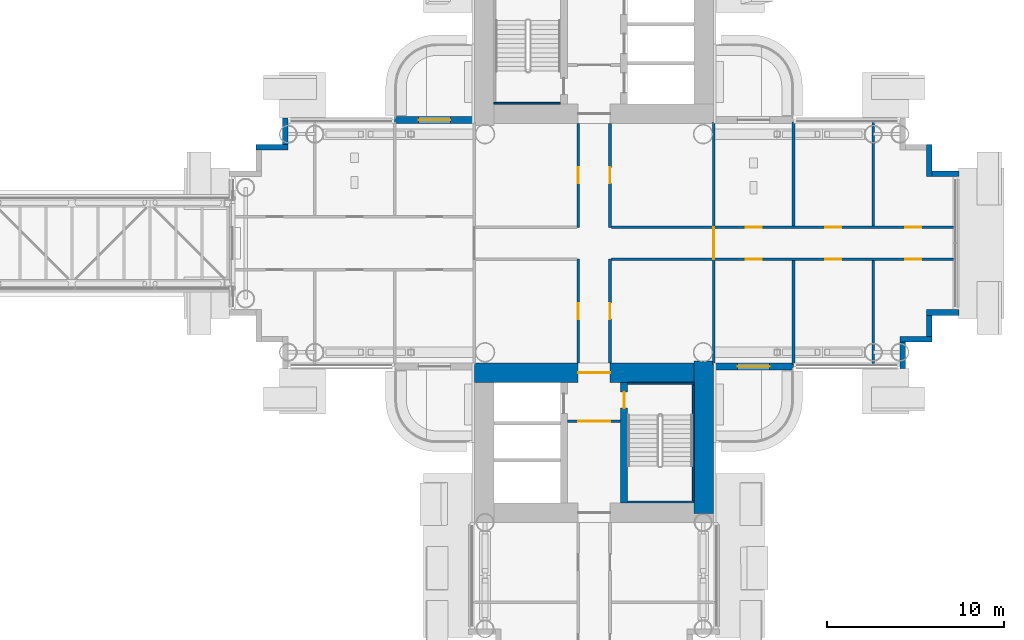
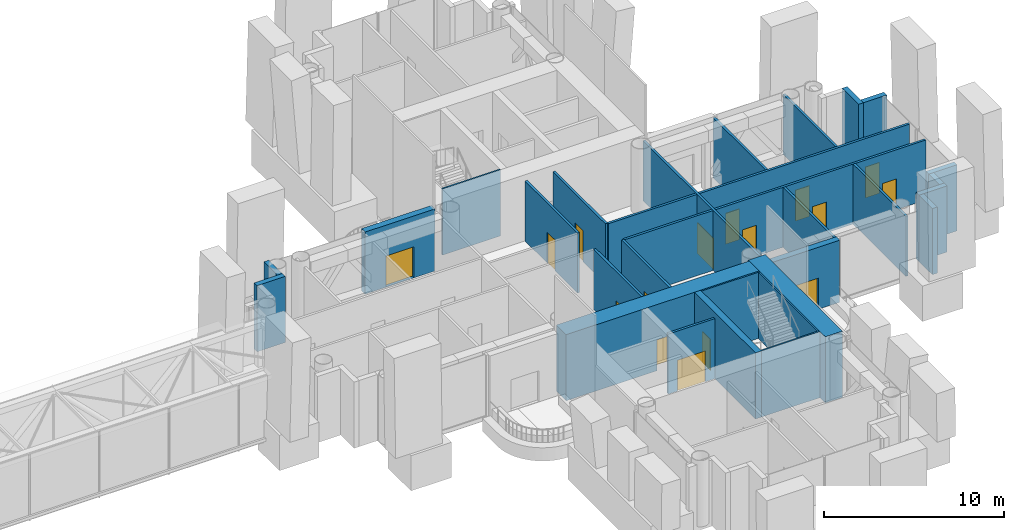
# One storey, part 17 of 27: 31 walls, 16 doors, 16 openings.
"""IFC4 building model written with IfcOpenShell, lengths in metres."""

from ifc_helpers import new_model, si_unit, direction, frame, frame_2d, origin, place, context, subcontext, project, spatial, rectangle, extrude, material, layer, layer_set, type_object, element, fill, save


model = new_model("IFC4")

# Units and contexts
model_context = context("Model", 3, precision=1e-05, world=origin(), true_north=direction((0.0, 1.0)))
body_context = subcontext(model_context, "Body", "Model", "MODEL_VIEW")
ifc_project = project(units=[si_unit("LENGTHUNIT", "METRE"), si_unit("AREAUNIT", "SQUARE_METRE"), si_unit("VOLUMEUNIT", "CUBIC_METRE"), si_unit("PLANEANGLEUNIT", "RADIAN"), si_unit("MASSUNIT", "GRAM", prefix="KILO")], contexts=[model_context])

# Site, building, storey
site_placement = place(None, origin())
site = spatial("IfcSite", under=ifc_project, at=site_placement, CompositionType="ELEMENT")
building_placement = place(site_placement, origin())
building = spatial("IfcBuilding", under=site, at=building_placement, Name="Ipe Terrace Towers", CompositionType="ELEMENT")
storey_placement = place(building_placement, frame((0.0, 0.0, 72.10009765625)))
storey = spatial("IfcBuildingStorey", under=building, at=storey_placement, Name="L19", CompositionType="ELEMENT", Elevation=72.10009765625)

# Wall, opening, door
ifc_material_1 = material(Name="Concrete C40/50 with buff precast cladding", Category="concrete")
ifc_layer_1 = layer(ifc_material_1, 0.39990234375)
ifc_layer_set_1 = layer_set([ifc_layer_1], Name="BALCONY BAY WALL 400")
wall_type_1 = type_object("IfcWallType", Name="BALCONY BAY WALL 400", PredefinedType="STANDARD", material=ifc_layer_set_1)
wall_1_placement = place(storey_placement, frame((42.75, -6.949951171875, -0.02001953125), z_axis=(0.0, 0.0, 1.0), x_axis=(1.0, 0.0, 0.0)))
wall_1 = element("IfcWall", 1, at=wall_1_placement, inside=storey, type_object=wall_type_1, Name="T2-W-L19-06a wall", PredefinedType="STANDARD", context=body_context, shape_type="SweptSolid", body=[
    extrude(rectangle(XDim=4.5, YDim=0.39990234375, at=frame_2d((2.25, 0.0))), origin(), (0.0, 0.0, 1.0), 4.219970703125),
])
opening_1_placement = place(wall_1_placement, frame((1.35009765625, 0.0, 0.02001953125)))
opening_1 = element("IfcOpeningElement", 2, at=opening_1_placement, cuts=wall_1, Name="Opening T2-D-L19-06", PredefinedType="OPENING", context=body_context, shape_type="SweptSolid", body=[
    extrude(rectangle(XDim=1.800048828125, YDim=2.10009765625, at=frame_2d((0.89990234375, 1.050048828125))), frame((0.0, 0.2099609375, 0.0), z_axis=(0.0, -1.0, 0.0), x_axis=(1.0, 0.0, 0.0)), (0.0, 0.0, 1.0), 0.419921875),
])
ifc_material_2 = material(Name="Aluminium alloy 6063-T6 framed glazed door", Category="aluminium")
door_type_1 = type_object("IfcDoorType", Name="BALCONY DOOR 1800 x 2100 RIGHT", OperationType="SINGLE_SWING_RIGHT", PredefinedType="DOOR", material=ifc_material_2)
door_1_placement = place(opening_1_placement, origin())
door_1 = element("IfcDoor", 3, at=door_1_placement, inside=storey, type_object=door_type_1, Name="DB2 door", OperationType="SINGLE_SWING_RIGHT", OverallHeight=2.10009765625, OverallWidth=1.800048828125, PredefinedType="DOOR", context=body_context, shape_type="SweptSolid", body=[
    extrude(rectangle(XDim=1.800048828125, YDim=2.10009765625, at=frame_2d((0.89990234375, 1.050048828125))), frame((0.0, 0.02490234375, 0.0), z_axis=(0.0, -1.0, 0.0), x_axis=(1.0, 0.0, 0.0)), (0.0, 0.0, 1.0), 0.050048828125),
])
fill(opening_1, door_1)

wall_2_placement = place(storey_placement, frame((29.25, 6.949951171875, -0.02001953125), z_axis=(0.0, 0.0, 1.0), x_axis=(-1.0, 0.0, 0.0)))
wall_2 = element("IfcWall", 4, at=wall_2_placement, inside=storey, type_object=wall_type_1, Name="T2-W-L19-32a wall", PredefinedType="STANDARD", context=body_context, shape_type="SweptSolid", body=[
    extrude(rectangle(XDim=4.5, YDim=0.39990234375, at=frame_2d((2.25, 0.0))), origin(), (0.0, 0.0, 1.0), 4.219970703125),
])
opening_2_placement = place(wall_2_placement, frame((1.35009765625, 0.0, 0.02001953125)))
opening_2 = element("IfcOpeningElement", 5, at=opening_2_placement, cuts=wall_2, Name="Opening T2-D-L19-32", PredefinedType="OPENING", context=body_context, shape_type="SweptSolid", body=[
    extrude(rectangle(XDim=1.800048828125, YDim=2.10009765625, at=frame_2d((0.89990234375, 1.050048828125))), frame((0.0, 0.2099609375, 0.0), z_axis=(0.0, -1.0, 0.0), x_axis=(1.0, 0.0, 0.0)), (0.0, 0.0, 1.0), 0.419921875),
])
door_2_placement = place(opening_2_placement, origin())
door_2 = element("IfcDoor", 6, at=door_2_placement, inside=storey, type_object=door_type_1, Name="DB2 door", OperationType="SINGLE_SWING_RIGHT", OverallHeight=2.10009765625, OverallWidth=1.800048828125, PredefinedType="DOOR", context=body_context, shape_type="SweptSolid", body=[
    extrude(rectangle(XDim=1.800048828125, YDim=2.10009765625, at=frame_2d((0.89990234375, 1.050048828125))), frame((0.0, 0.02490234375, 0.0), z_axis=(0.0, -1.0, 0.0), x_axis=(1.0, 0.0, 0.0)), (0.0, 0.0, 1.0), 0.050048828125),
])
fill(opening_2, door_2)

# Walls
ifc_material_3 = material(Name="Concrete C40/50 with buff precast cladding", Category="concrete")
ifc_layer_2 = layer(ifc_material_3, 0.320068359375)
ifc_layer_set_2 = layer_set([ifc_layer_2], Name="BUFF CLADDING WALL 320")
wall_type_2 = type_object("IfcWallType", Name="BUFF CLADDING WALL 320", PredefinedType="STANDARD", material=ifc_layer_set_2)
wall_3_placement = place(storey_placement, frame((53.409912109375, -7.070068359375, -0.300048828125), z_axis=(0.0, 0.0, 1.0), x_axis=(0.0, 1.0, 0.0)))
element("IfcWall", 7, at=wall_3_placement, inside=storey, type_object=wall_type_2, Name="T2-W-L19-08a wall", PredefinedType="STANDARD", context=body_context, shape_type="SweptSolid", body=[
    extrude(rectangle(XDim=1.5, YDim=0.320068359375, at=frame_2d((0.75, 0.0))), origin(), (0.0, 0.0, 1.0), 4.5),
])
wall_4_placement = place(storey_placement, frame((53.25, -5.409912109375, -0.300048828125), z_axis=(0.0, 0.0, 1.0), x_axis=(1.0, 0.0, 0.0)))
element("IfcWall", 8, at=wall_4_placement, inside=storey, type_object=wall_type_2, Name="T2-W-L19-09a wall", PredefinedType="STANDARD", context=body_context, shape_type="SweptSolid", body=[
    extrude(rectangle(XDim=1.820068359375, YDim=0.320068359375, at=frame_2d((0.91015625, 0.0))), origin(), (0.0, 0.0, 1.0), 4.5),
])
wall_5_placement = place(storey_placement, frame((54.909912109375, -5.25, -0.300048828125), z_axis=(0.0, 0.0, 1.0), x_axis=(0.0, 1.0, 0.0)))
element("IfcWall", 9, at=wall_5_placement, inside=storey, type_object=wall_type_2, Name="T2-W-L19-10a wall", PredefinedType="STANDARD", context=body_context, shape_type="SweptSolid", body=[
    extrude(rectangle(XDim=1.179931640625, YDim=0.320068359375, at=frame_2d((0.58984375, 0.0))), origin(), (0.0, 0.0, 1.0), 4.5),
])
wall_6_placement = place(storey_placement, frame((54.75, -3.909912109375, -0.300048828125), z_axis=(0.0, 0.0, 1.0), x_axis=(1.0, 0.0, 0.0)))
element("IfcWall", 10, at=wall_6_placement, inside=storey, type_object=wall_type_2, Name="T2-W-L19-11a wall", PredefinedType="STANDARD", context=body_context, shape_type="SweptSolid", body=[
    extrude(rectangle(XDim=1.820068359375, YDim=0.320068359375, at=frame_2d((0.91015625, 0.0))), origin(), (0.0, 0.0, 1.0), 4.5),
])
wall_7_placement = place(storey_placement, frame((56.570068359375, 3.909912109375, -0.300048828125), z_axis=(0.0, 0.0, 1.0), x_axis=(-1.0, 0.0, 0.0)))
element("IfcWall", 11, at=wall_7_placement, inside=storey, type_object=wall_type_2, Name="T2-W-L19-13a wall", PredefinedType="STANDARD", context=body_context, shape_type="SweptSolid", body=[
    extrude(rectangle(XDim=1.5, YDim=0.320068359375, at=frame_2d((0.75, 0.0))), origin(), (0.0, 0.0, 1.0), 4.5),
])
wall_8_placement = place(storey_placement, frame((54.909912109375, 3.75, -0.300048828125), z_axis=(0.0, 0.0, 1.0), x_axis=(0.0, 1.0, 0.0)))
element("IfcWall", 12, at=wall_8_placement, inside=storey, type_object=wall_type_2, Name="T2-W-L19-14a wall", PredefinedType="STANDARD", context=body_context, shape_type="SweptSolid", body=[
    extrude(rectangle(XDim=1.820068359375, YDim=0.320068359375, at=frame_2d((0.91015625, 0.0))), origin(), (0.0, 0.0, 1.0), 4.5),
])
wall_9_placement = place(storey_placement, frame((18.590087890625, 7.070068359375, -0.300048828125), z_axis=(0.0, 0.0, 1.0), x_axis=(0.0, -1.0, 0.0)))
element("IfcWall", 13, at=wall_9_placement, inside=storey, type_object=wall_type_2, Name="T2-W-L19-34a wall", PredefinedType="STANDARD", context=body_context, shape_type="SweptSolid", body=[
    extrude(rectangle(XDim=1.5, YDim=0.320068359375, at=frame_2d((0.75, 0.0))), origin(), (0.0, 0.0, 1.0), 4.5),
])
wall_10_placement = place(storey_placement, frame((18.75, 5.409912109375, -0.300048828125), z_axis=(0.0, 0.0, 1.0), x_axis=(-1.0, 0.0, 0.0)))
element("IfcWall", 14, at=wall_10_placement, inside=storey, type_object=wall_type_2, Name="T2-W-L19-35a wall", PredefinedType="STANDARD", context=body_context, shape_type="SweptSolid", body=[
    extrude(rectangle(XDim=1.820068359375, YDim=0.320068359375, at=frame_2d((0.91015625, 0.0))), origin(), (0.0, 0.0, 1.0), 4.5),
])

# Wall, opening, door
ifc_material_4 = material(Name="Gypsum board partition", Category="plasterboard")
ifc_layer_3 = layer(ifc_material_4, 0.14990234375)
ifc_layer_set_3 = layer_set([ifc_layer_3], Name="Gypsum board partition 150 mm")
wall_type_3 = type_object("IfcWallType", Name="Gypsum board partition 150 mm", PredefinedType="PARTITIONING", material=ifc_layer_set_3)
wall_11_placement = place(storey_placement, frame((34.5, -10.050048828125, 0.0), z_axis=(0.0, 0.0, 1.0), x_axis=(1.0, 0.0, 0.0)))
wall_11 = element("IfcWall", 15, at=wall_11_placement, inside=storey, type_object=wall_type_3, Name="Gypsum board partition T2 L19 t2c2-lobby-wall", PredefinedType="PARTITIONING", context=body_context, shape_type="SweptSolid", body=[
    extrude(rectangle(XDim=3.0, YDim=0.14990234375, at=frame_2d((1.5, 0.0))), origin(), (0.0, 0.0, 1.0), 4.079833984375),
])
opening_3_placement = place(wall_11_placement, frame((0.60009765625, 0.0, 0.0)))
opening_3 = element("IfcOpeningElement", 16, at=opening_3_placement, cuts=wall_11, Name="Opening T2C2-VD", PredefinedType="OPENING", context=body_context, shape_type="SweptSolid", body=[
    extrude(rectangle(XDim=1.800048828125, YDim=2.10009765625, at=frame_2d((0.89990234375, 1.050048828125))), frame((0.0, 0.0849609375, 0.0), z_axis=(0.0, -1.0, 0.0), x_axis=(1.0, 0.0, 0.0)), (0.0, 0.0, 1.0), 0.169921875),
])
ifc_material_5 = material(Name="Fire-rated timber door leaf", Category="wood")
door_type_2 = type_object("IfcDoorType", Name="Lobby door 1800 x 2100 FD60", OperationType="NOTDEFINED", PredefinedType="DOOR", material=ifc_material_5)
door_3_placement = place(opening_3_placement, origin())
door_3 = element("IfcDoor", 17, at=door_3_placement, inside=storey, type_object=door_type_2, Name="Lobby door T2C2-VD", OperationType="SINGLE_SWING_LEFT", OverallHeight=2.10009765625, OverallWidth=1.800048828125, PredefinedType="DOOR", context=body_context, shape_type="SweptSolid", body=[
    extrude(rectangle(XDim=1.800048828125, YDim=2.10009765625, at=frame_2d((0.89990234375, 1.050048828125))), frame((0.0, 0.02490234375, 0.0), z_axis=(0.0, -1.0, 0.0), x_axis=(1.0, 0.0, 0.0)), (0.0, 0.0, 1.0), 0.050048828125),
])
fill(opening_3, door_3)

wall_12_placement = place(storey_placement, frame((35.10009765625, 0.89990234375, 0.0), z_axis=(0.0, 0.0, 1.0), x_axis=(0.0, 1.0, 0.0)))
wall_12 = element("IfcWall", 18, at=wall_12_placement, inside=storey, type_object=wall_type_3, Name="Gypsum board partition T2 L19 sp-hub-qen-x", PredefinedType="PARTITIONING", context=body_context, shape_type="SweptSolid", body=[
    extrude(rectangle(XDim=5.85009765625, YDim=0.14990234375, at=frame_2d((2.925048828125, 0.0))), origin(), (0.0, 0.0, 1.0), 4.079833984375),
])
opening_4_placement = place(wall_12_placement, frame((2.47509765625, 0.0, 0.0)))
opening_4 = element("IfcOpeningElement", 19, at=opening_4_placement, cuts=wall_12, Name="Opening T2-SP-HEN", PredefinedType="OPENING", context=body_context, shape_type="SweptSolid", body=[
    extrude(rectangle(XDim=0.89990234375, YDim=2.10009765625, at=frame_2d((0.449951171875, 1.050048828125))), frame((0.0, 0.0849609375, 0.0), z_axis=(0.0, -1.0, 0.0), x_axis=(1.0, 0.0, 0.0)), (0.0, 0.0, 1.0), 0.169921875),
])
ifc_material_6 = material(Name="Fire-rated timber door leaf", Category="wood")
door_type_3 = type_object("IfcDoorType", Name="Lounge door 900 x 2100 FD30S", OperationType="NOTDEFINED", PredefinedType="DOOR", material=ifc_material_6)
door_4_placement = place(opening_4_placement, origin())
door_4 = element("IfcDoor", 20, at=door_4_placement, inside=storey, type_object=door_type_3, Name="Lounge door T2-SP-HEN", OperationType="SINGLE_SWING_LEFT", OverallHeight=2.10009765625, OverallWidth=0.89990234375, PredefinedType="DOOR", context=body_context, shape_type="SweptSolid", body=[
    extrude(rectangle(XDim=0.89990234375, YDim=2.10009765625, at=frame_2d((0.449951171875, 1.050048828125))), frame((0.0, 0.02490234375, 0.0), z_axis=(0.0, -1.0, 0.0), x_axis=(1.0, 0.0, 0.0)), (0.0, 0.0, 1.0), 0.050048828125),
])
fill(opening_4, door_4)

wall_13_placement = place(storey_placement, frame((36.89990234375, 0.89990234375, 0.0), z_axis=(0.0, 0.0, 1.0), x_axis=(0.0, 1.0, 0.0)))
wall_13 = element("IfcWall", 21, at=wall_13_placement, inside=storey, type_object=wall_type_3, Name="Gypsum board partition T2 L19 sp-hub-qes-x", PredefinedType="PARTITIONING", context=body_context, shape_type="SweptSolid", body=[
    extrude(rectangle(XDim=5.85009765625, YDim=0.14990234375, at=frame_2d((2.925048828125, 0.0))), origin(), (0.0, 0.0, 1.0), 4.079833984375),
])
opening_5_placement = place(wall_13_placement, frame((2.47509765625, 0.0, 0.0)))
opening_5 = element("IfcOpeningElement", 22, at=opening_5_placement, cuts=wall_13, Name="Opening T2-SP-HES", PredefinedType="OPENING", context=body_context, shape_type="SweptSolid", body=[
    extrude(rectangle(XDim=0.89990234375, YDim=2.10009765625, at=frame_2d((0.449951171875, 1.050048828125))), frame((0.0, 0.0849609375, 0.0), z_axis=(0.0, -1.0, 0.0), x_axis=(1.0, 0.0, 0.0)), (0.0, 0.0, 1.0), 0.169921875),
])
door_5_placement = place(opening_5_placement, origin())
door_5 = element("IfcDoor", 23, at=door_5_placement, inside=storey, type_object=door_type_3, Name="Lounge door T2-SP-HES", OperationType="SINGLE_SWING_RIGHT", OverallHeight=2.10009765625, OverallWidth=0.89990234375, PredefinedType="DOOR", context=body_context, shape_type="SweptSolid", body=[
    extrude(rectangle(XDim=0.89990234375, YDim=2.10009765625, at=frame_2d((0.449951171875, 1.050048828125))), frame((0.0, 0.02490234375, 0.0), z_axis=(0.0, -1.0, 0.0), x_axis=(1.0, 0.0, 0.0)), (0.0, 0.0, 1.0), 0.050048828125),
])
fill(opening_5, door_5)

# Wall
wall_14_placement = place(storey_placement, frame((42.675048828125, 0.89990234375, 0.0), z_axis=(0.0, 0.0, 1.0), x_axis=(-1.0, 0.0, 0.0)))
element("IfcWall", 24, at=wall_14_placement, inside=storey, type_object=wall_type_3, Name="Gypsum board partition T2 L19 sp-hub-qes-y", PredefinedType="PARTITIONING", context=body_context, shape_type="SweptSolid", body=[
    extrude(rectangle(XDim=5.699951171875, YDim=0.14990234375, at=frame_2d((2.85009765625, 0.0))), origin(), (0.0, 0.0, 1.0), 4.079833984375),
])

# Wall, opening, door
wall_15_placement = place(storey_placement, frame((35.10009765625, -6.75, 0.0), z_axis=(0.0, 0.0, 1.0), x_axis=(0.0, 1.0, 0.0)))
wall_15 = element("IfcWall", 25, at=wall_15_placement, inside=storey, type_object=wall_type_3, Name="Gypsum board partition T2 L19 sp-hub-qwn-x", PredefinedType="PARTITIONING", context=body_context, shape_type="SweptSolid", body=[
    extrude(rectangle(XDim=5.85009765625, YDim=0.14990234375, at=frame_2d((2.925048828125, 0.0))), origin(), (0.0, 0.0, 1.0), 4.079833984375),
])
opening_6_placement = place(wall_15_placement, frame((2.47509765625, 0.0, 0.0)))
opening_6 = element("IfcOpeningElement", 26, at=opening_6_placement, cuts=wall_15, Name="Opening T2-SP-HWN", PredefinedType="OPENING", context=body_context, shape_type="SweptSolid", body=[
    extrude(rectangle(XDim=0.89990234375, YDim=2.10009765625, at=frame_2d((0.449951171875, 1.050048828125))), frame((0.0, 0.0849609375, 0.0), z_axis=(0.0, -1.0, 0.0), x_axis=(1.0, 0.0, 0.0)), (0.0, 0.0, 1.0), 0.169921875),
])
door_6_placement = place(opening_6_placement, origin())
door_6 = element("IfcDoor", 27, at=door_6_placement, inside=storey, type_object=door_type_3, Name="Lounge door T2-SP-HWN", OperationType="SINGLE_SWING_LEFT", OverallHeight=2.10009765625, OverallWidth=0.89990234375, PredefinedType="DOOR", context=body_context, shape_type="SweptSolid", body=[
    extrude(rectangle(XDim=0.89990234375, YDim=2.10009765625, at=frame_2d((0.449951171875, 1.050048828125))), frame((0.0, 0.02490234375, 0.0), z_axis=(0.0, -1.0, 0.0), x_axis=(1.0, 0.0, 0.0)), (0.0, 0.0, 1.0), 0.050048828125),
])
fill(opening_6, door_6)

wall_16_placement = place(storey_placement, frame((36.89990234375, -6.75, 0.0), z_axis=(0.0, 0.0, 1.0), x_axis=(0.0, 1.0, 0.0)))
wall_16 = element("IfcWall", 28, at=wall_16_placement, inside=storey, type_object=wall_type_3, Name="Gypsum board partition T2 L19 sp-hub-qws-x", PredefinedType="PARTITIONING", context=body_context, shape_type="SweptSolid", body=[
    extrude(rectangle(XDim=5.85009765625, YDim=0.14990234375, at=frame_2d((2.925048828125, 0.0))), origin(), (0.0, 0.0, 1.0), 4.079833984375),
])
opening_7_placement = place(wall_16_placement, frame((2.47509765625, 0.0, 0.0)))
opening_7 = element("IfcOpeningElement", 29, at=opening_7_placement, cuts=wall_16, Name="Opening T2-SP-HWS", PredefinedType="OPENING", context=body_context, shape_type="SweptSolid", body=[
    extrude(rectangle(XDim=0.89990234375, YDim=2.10009765625, at=frame_2d((0.449951171875, 1.050048828125))), frame((0.0, 0.0849609375, 0.0), z_axis=(0.0, -1.0, 0.0), x_axis=(1.0, 0.0, 0.0)), (0.0, 0.0, 1.0), 0.169921875),
])
door_7_placement = place(opening_7_placement, origin())
door_7 = element("IfcDoor", 30, at=door_7_placement, inside=storey, type_object=door_type_3, Name="Lounge door T2-SP-HWS", OperationType="SINGLE_SWING_RIGHT", OverallHeight=2.10009765625, OverallWidth=0.89990234375, PredefinedType="DOOR", context=body_context, shape_type="SweptSolid", body=[
    extrude(rectangle(XDim=0.89990234375, YDim=2.10009765625, at=frame_2d((0.449951171875, 1.050048828125))), frame((0.0, 0.02490234375, 0.0), z_axis=(0.0, -1.0, 0.0), x_axis=(1.0, 0.0, 0.0)), (0.0, 0.0, 1.0), 0.050048828125),
])
fill(opening_7, door_7)

# Wall
wall_17_placement = place(storey_placement, frame((42.675048828125, -0.89990234375, 0.0), z_axis=(0.0, 0.0, 1.0), x_axis=(-1.0, 0.0, 0.0)))
element("IfcWall", 31, at=wall_17_placement, inside=storey, type_object=wall_type_3, Name="Gypsum board partition T2 L19 sp-hub-qws-y", PredefinedType="PARTITIONING", context=body_context, shape_type="SweptSolid", body=[
    extrude(rectangle(XDim=5.699951171875, YDim=0.14990234375, at=frame_2d((2.85009765625, 0.0))), origin(), (0.0, 0.0, 1.0), 4.079833984375),
])

# Wall, opening, door
wall_18_placement = place(storey_placement, frame((42.75, -6.85009765625, 0.0), z_axis=(0.0, 0.0, 1.0), x_axis=(0.0, 1.0, 0.0)))
wall_18 = element("IfcWall", 32, at=wall_18_placement, inside=storey, type_object=wall_type_3, Name="Gypsum board partition T2 L19 sp-Sm-mouth", PredefinedType="PARTITIONING", context=body_context, shape_type="SweptSolid", body=[
    extrude(rectangle(XDim=13.7001953125, YDim=0.14990234375, at=frame_2d((6.85009765625, 0.0))), origin(), (0.0, 0.0, 1.0), 4.079833984375),
])
opening_8_placement = place(wall_18_placement, frame((5.949951171875, 0.0, 0.0)))
opening_8 = element("IfcOpeningElement", 33, at=opening_8_placement, cuts=wall_18, Name="Opening T2-SP-MSm", PredefinedType="OPENING", context=body_context, shape_type="SweptSolid", body=[
    extrude(rectangle(XDim=1.800048828125, YDim=2.10009765625, at=frame_2d((0.89990234375, 1.050048828125))), frame((0.0, 0.0849609375, 0.0), z_axis=(0.0, -1.0, 0.0), x_axis=(1.0, 0.0, 0.0)), (0.0, 0.0, 1.0), 0.169921875),
])
ifc_material_7 = material(Name="Fire-rated timber door leaf", Category="wood")
door_type_4 = type_object("IfcDoorType", Name="Lobby door 1800 x 2100 FD30S", OperationType="NOTDEFINED", PredefinedType="DOOR", material=ifc_material_7)
door_8_placement = place(opening_8_placement, origin())
door_8 = element("IfcDoor", 34, at=door_8_placement, inside=storey, type_object=door_type_4, Name="Lobby door T2-SP-MSm", OperationType="SINGLE_SWING_RIGHT", OverallHeight=2.10009765625, OverallWidth=1.800048828125, PredefinedType="DOOR", context=body_context, shape_type="SweptSolid", body=[
    extrude(rectangle(XDim=1.800048828125, YDim=2.10009765625, at=frame_2d((0.89990234375, 1.050048828125))), frame((0.0, 0.02490234375, 0.0), z_axis=(0.0, -1.0, 0.0), x_axis=(1.0, 0.0, 0.0)), (0.0, 0.0, 1.0), 0.050048828125),
])
fill(opening_8, door_8)

# Wall, openings, doors
wall_19_placement = place(storey_placement, frame((56.35009765625, 0.89990234375, 0.0), z_axis=(0.0, 0.0, 1.0), x_axis=(-1.0, 0.0, 0.0)))
wall_19 = element("IfcWall", 35, at=wall_19_placement, inside=storey, type_object=wall_type_3, Name="Gypsum board partition T2 L19 sp-Sm-wp", PredefinedType="PARTITIONING", context=body_context, shape_type="SweptSolid", body=[
    extrude(rectangle(XDim=13.525146484375, YDim=0.14990234375, at=frame_2d((6.7626953125, 0.0))), origin(), (0.0, 0.0, 1.0), 4.079833984375),
])
opening_9_placement = place(wall_19_placement, frame((1.89990234375, 0.0, 0.0)))
opening_9 = element("IfcOpeningElement", 36, at=opening_9_placement, cuts=wall_19, Name="Opening T2-SP-PSm1", PredefinedType="OPENING", context=body_context, shape_type="SweptSolid", body=[
    extrude(rectangle(XDim=0.89990234375, YDim=2.10009765625, at=frame_2d((0.449951171875, 1.050048828125))), frame((0.0, 0.0849609375, 0.0), z_axis=(0.0, -1.0, 0.0), x_axis=(1.0, 0.0, 0.0)), (0.0, 0.0, 1.0), 0.169921875),
])
opening_10_placement = place(wall_19_placement, frame((6.39990234375, 0.0, 0.0)))
opening_10 = element("IfcOpeningElement", 37, at=opening_10_placement, cuts=wall_19, Name="Opening T2-SP-PSm2", PredefinedType="OPENING", context=body_context, shape_type="SweptSolid", body=[
    extrude(rectangle(XDim=0.89990234375, YDim=2.10009765625, at=frame_2d((0.449951171875, 1.050048828125))), frame((0.0, 0.0849609375, 0.0), z_axis=(0.0, -1.0, 0.0), x_axis=(1.0, 0.0, 0.0)), (0.0, 0.0, 1.0), 0.169921875),
])
opening_11_placement = place(wall_19_placement, frame((10.89990234375, 0.0, 0.0)))
opening_11 = element("IfcOpeningElement", 38, at=opening_11_placement, cuts=wall_19, Name="Opening T2-SP-PSm3", PredefinedType="OPENING", context=body_context, shape_type="SweptSolid", body=[
    extrude(rectangle(XDim=0.89990234375, YDim=2.10009765625, at=frame_2d((0.449951171875, 1.050048828125))), frame((0.0, 0.0849609375, 0.0), z_axis=(0.0, -1.0, 0.0), x_axis=(1.0, 0.0, 0.0)), (0.0, 0.0, 1.0), 0.169921875),
])
ifc_material_8 = material(Name="Timber door leaf", Category="wood")
door_type_5 = type_object("IfcDoorType", Name="Lounge door 900 x 2100", OperationType="NOTDEFINED", PredefinedType="DOOR", material=ifc_material_8)
door_9_placement = place(opening_11_placement, origin())
door_9 = element("IfcDoor", 39, at=door_9_placement, inside=storey, type_object=door_type_5, Name="Lounge door T2-SP-PSm3", OperationType="SINGLE_SWING_LEFT", OverallHeight=2.10009765625, OverallWidth=0.89990234375, PredefinedType="DOOR", context=body_context, shape_type="SweptSolid", body=[
    extrude(rectangle(XDim=0.89990234375, YDim=2.10009765625, at=frame_2d((0.449951171875, 1.050048828125))), frame((0.0, 0.02490234375, 0.0), z_axis=(0.0, -1.0, 0.0), x_axis=(1.0, 0.0, 0.0)), (0.0, 0.0, 1.0), 0.050048828125),
])
fill(opening_11, door_9)
door_10_placement = place(opening_9_placement, origin())
door_10 = element("IfcDoor", 40, at=door_10_placement, inside=storey, type_object=door_type_3, Name="Lounge door T2-SP-PSm1", OperationType="SINGLE_SWING_LEFT", OverallHeight=2.10009765625, OverallWidth=0.89990234375, PredefinedType="DOOR", context=body_context, shape_type="SweptSolid", body=[
    extrude(rectangle(XDim=0.89990234375, YDim=2.10009765625, at=frame_2d((0.449951171875, 1.050048828125))), frame((0.0, 0.02490234375, 0.0), z_axis=(0.0, -1.0, 0.0), x_axis=(1.0, 0.0, 0.0)), (0.0, 0.0, 1.0), 0.050048828125),
])
fill(opening_9, door_10)
door_11_placement = place(opening_10_placement, origin())
door_11 = element("IfcDoor", 41, at=door_11_placement, inside=storey, type_object=door_type_3, Name="Lounge door T2-SP-PSm2", OperationType="SINGLE_SWING_RIGHT", OverallHeight=2.10009765625, OverallWidth=0.89990234375, PredefinedType="DOOR", context=body_context, shape_type="SweptSolid", body=[
    extrude(rectangle(XDim=0.89990234375, YDim=2.10009765625, at=frame_2d((0.449951171875, 1.050048828125))), frame((0.0, 0.02490234375, 0.0), z_axis=(0.0, -1.0, 0.0), x_axis=(1.0, 0.0, 0.0)), (0.0, 0.0, 1.0), 0.050048828125),
])
fill(opening_10, door_11)

# Walls
for number, where, z_axis, x_axis, name in (
    (42, (51.75, 0.97509765625, 0.0), (0.0, 0.0, 1.0), (0.0, 1.0, 0.0), "Gypsum board partition T2 L19 sp-Sm-dp1"),
    (43, (47.25, 0.97509765625, 0.0), (0.0, 0.0, 1.0), (0.0, 1.0, 0.0), "Gypsum board partition T2 L19 sp-Sm-dp2"),
):
    element("IfcWall", number, at=place(storey_placement, frame(where, z_axis=z_axis, x_axis=x_axis)), inside=storey, type_object=wall_type_3, Name=name, PredefinedType="PARTITIONING", context=body_context, shape_type="SweptSolid", body=[
        extrude(rectangle(XDim=5.875, YDim=0.14990234375, at=frame_2d((2.9375, 0.0))), origin(), (0.0, 0.0, 1.0), 4.079833984375),
    ])

# Wall, openings, doors
wall_20_placement = place(storey_placement, frame((56.35009765625, -0.89990234375, 0.0), z_axis=(0.0, 0.0, 1.0), x_axis=(-1.0, 0.0, 0.0)))
wall_20 = element("IfcWall", 44, at=wall_20_placement, inside=storey, type_object=wall_type_3, Name="Gypsum board partition T2 L19 sp-Sm-wm", PredefinedType="PARTITIONING", context=body_context, shape_type="SweptSolid", body=[
    extrude(rectangle(XDim=13.525146484375, YDim=0.14990234375, at=frame_2d((6.7626953125, 0.0))), origin(), (0.0, 0.0, 1.0), 4.079833984375),
])
opening_12_placement = place(wall_20_placement, frame((1.89990234375, 0.0, 0.0)))
opening_12 = element("IfcOpeningElement", 45, at=opening_12_placement, cuts=wall_20, Name="Opening T2-SP-MSm1", PredefinedType="OPENING", context=body_context, shape_type="SweptSolid", body=[
    extrude(rectangle(XDim=0.89990234375, YDim=2.10009765625, at=frame_2d((0.449951171875, 1.050048828125))), frame((0.0, 0.0849609375, 0.0), z_axis=(0.0, -1.0, 0.0), x_axis=(1.0, 0.0, 0.0)), (0.0, 0.0, 1.0), 0.169921875),
])
opening_13_placement = place(wall_20_placement, frame((6.39990234375, 0.0, 0.0)))
opening_13 = element("IfcOpeningElement", 46, at=opening_13_placement, cuts=wall_20, Name="Opening T2-SP-MSm2", PredefinedType="OPENING", context=body_context, shape_type="SweptSolid", body=[
    extrude(rectangle(XDim=0.89990234375, YDim=2.10009765625, at=frame_2d((0.449951171875, 1.050048828125))), frame((0.0, 0.0849609375, 0.0), z_axis=(0.0, -1.0, 0.0), x_axis=(1.0, 0.0, 0.0)), (0.0, 0.0, 1.0), 0.169921875),
])
opening_14_placement = place(wall_20_placement, frame((10.89990234375, 0.0, 0.0)))
opening_14 = element("IfcOpeningElement", 47, at=opening_14_placement, cuts=wall_20, Name="Opening T2-SP-MSm3", PredefinedType="OPENING", context=body_context, shape_type="SweptSolid", body=[
    extrude(rectangle(XDim=0.89990234375, YDim=2.10009765625, at=frame_2d((0.449951171875, 1.050048828125))), frame((0.0, 0.0849609375, 0.0), z_axis=(0.0, -1.0, 0.0), x_axis=(1.0, 0.0, 0.0)), (0.0, 0.0, 1.0), 0.169921875),
])
door_12_placement = place(opening_12_placement, origin())
door_12 = element("IfcDoor", 48, at=door_12_placement, inside=storey, type_object=door_type_3, Name="Lounge door T2-SP-MSm1", OperationType="SINGLE_SWING_RIGHT", OverallHeight=2.10009765625, OverallWidth=0.89990234375, PredefinedType="DOOR", context=body_context, shape_type="SweptSolid", body=[
    extrude(rectangle(XDim=0.89990234375, YDim=2.10009765625, at=frame_2d((0.449951171875, 1.050048828125))), frame((0.0, 0.02490234375, 0.0), z_axis=(0.0, -1.0, 0.0), x_axis=(1.0, 0.0, 0.0)), (0.0, 0.0, 1.0), 0.050048828125),
])
fill(opening_12, door_12)
door_13_placement = place(opening_13_placement, origin())
door_13 = element("IfcDoor", 49, at=door_13_placement, inside=storey, type_object=door_type_3, Name="Lounge door T2-SP-MSm2", OperationType="SINGLE_SWING_LEFT", OverallHeight=2.10009765625, OverallWidth=0.89990234375, PredefinedType="DOOR", context=body_context, shape_type="SweptSolid", body=[
    extrude(rectangle(XDim=0.89990234375, YDim=2.10009765625, at=frame_2d((0.449951171875, 1.050048828125))), frame((0.0, 0.02490234375, 0.0), z_axis=(0.0, -1.0, 0.0), x_axis=(1.0, 0.0, 0.0)), (0.0, 0.0, 1.0), 0.050048828125),
])
fill(opening_13, door_13)
door_14_placement = place(opening_14_placement, origin())
door_14 = element("IfcDoor", 50, at=door_14_placement, inside=storey, type_object=door_type_3, Name="Lounge door T2-SP-MSm3", OperationType="SINGLE_SWING_RIGHT", OverallHeight=2.10009765625, OverallWidth=0.89990234375, PredefinedType="DOOR", context=body_context, shape_type="SweptSolid", body=[
    extrude(rectangle(XDim=0.89990234375, YDim=2.10009765625, at=frame_2d((0.449951171875, 1.050048828125))), frame((0.0, 0.02490234375, 0.0), z_axis=(0.0, -1.0, 0.0), x_axis=(1.0, 0.0, 0.0)), (0.0, 0.0, 1.0), 0.050048828125),
])
fill(opening_14, door_14)

# Walls
for number, where, z_axis, x_axis, name in (
    (51, (51.75, -0.97509765625, 0.0), (0.0, 0.0, 1.0), (0.0, -1.0, 0.0), "Gypsum board partition T2 L19 sp-Sm-dm1"),
    (52, (47.25, -0.97509765625, 0.0), (0.0, 0.0, 1.0), (0.0, -1.0, 0.0), "Gypsum board partition T2 L19 sp-Sm-dm2"),
):
    element("IfcWall", number, at=place(storey_placement, frame(where, z_axis=z_axis, x_axis=x_axis)), inside=storey, type_object=wall_type_3, Name=name, PredefinedType="PARTITIONING", context=body_context, shape_type="SweptSolid", body=[
        extrude(rectangle(XDim=5.875, YDim=0.14990234375, at=frame_2d((2.9375, 0.0))), origin(), (0.0, 0.0, 1.0), 4.079833984375),
    ])
ifc_material_9 = material(Name="Concrete C60/75", Category="concrete")
ifc_layer_4 = layer(ifc_material_9, 0.10009765625)
ifc_layer_set_4 = layer_set([ifc_layer_4], Name="RW100 CORE INFILL WALL 100 C60-75")
wall_type_4 = type_object("IfcWallType", Name="RW100 CORE INFILL WALL 100 C60-75", PredefinedType="SHEAR", material=ifc_layer_set_4)
for number, where, z_axis, x_axis, name in (
    (53, (34.10009765625, 7.89990234375, 0.0), (0.0, 0.0, 1.0), (-1.0, 0.0, 0.0), "Core infill wall T2-C1-near"),
    (54, (37.89990234375, -14.60009765625, 0.0), (0.0, 0.0, 1.0), (1.0, 0.0, 0.0), "Core infill wall T2-C2-far"),
):
    element("IfcWall", number, at=place(storey_placement, frame(where, z_axis=z_axis, x_axis=x_axis)), inside=storey, type_object=wall_type_4, Name=name, PredefinedType="SHEAR", context=body_context, shape_type="SweptSolid", body=[
        extrude(rectangle(XDim=3.75, YDim=0.10009765625, at=frame_2d((1.875, 0.0))), origin(), (0.0, 0.0, 1.0), 4.5),
    ])
wall_21_placement = place(storey_placement, frame((41.60009765625, -7.949951171875, 0.0), z_axis=(0.0, 0.0, 1.0), x_axis=(0.0, -1.0, 0.0)))
element("IfcWall", 55, at=wall_21_placement, inside=storey, type_object=wall_type_4, Name="Core infill wall T2-C2-back", PredefinedType="SHEAR", context=body_context, shape_type="SweptSolid", body=[
    extrude(rectangle(XDim=6.60009765625, YDim=0.10009765625, at=frame_2d((3.300048828125, 0.0))), origin(), (0.0, 0.0, 1.0), 4.5),
])
wall_22_placement = place(storey_placement, frame((37.89990234375, -7.89990234375, 0.0), z_axis=(0.0, 0.0, 1.0), x_axis=(1.0, 0.0, 0.0)))
element("IfcWall", 56, at=wall_22_placement, inside=storey, type_object=wall_type_4, Name="Core infill wall T2-C2-near", PredefinedType="SHEAR", context=body_context, shape_type="SweptSolid", body=[
    extrude(rectangle(XDim=3.75, YDim=0.10009765625, at=frame_2d((1.875, 0.0))), origin(), (0.0, 0.0, 1.0), 4.5),
])
ifc_material_10 = material(Name="Concrete C60/75", Category="concrete")
ifc_layer_5 = layer(ifc_material_10, 1.10009765625)
ifc_layer_set_5 = layer_set([ifc_layer_5], Name="RW1100 CORE WALL 1100 C60-75")
wall_type_5 = type_object("IfcWallType", Name="RW1100 CORE WALL 1100 C60-75", PredefinedType="SHEAR", material=ifc_layer_set_5)
wall_23_placement = place(storey_placement, frame((42.199951171875, -15.248046875, 0.0), z_axis=(0.0, 0.0, 1.0), x_axis=(0.0, 1.0, 0.0)))
element("IfcWall", 57, at=wall_23_placement, inside=storey, type_object=wall_type_5, Name="Core wall T2-C2-Z1-W02", PredefinedType="SHEAR", context=body_context, shape_type="SweptSolid", body=[
    extrude(rectangle(XDim=8.595947265625, YDim=1.10009765625, at=frame_2d((4.2978515625, 0.0))), origin(), (0.0, 0.0, 1.0), 4.5),
])

# Wall, opening, door
wall_24_placement = place(storey_placement, frame((41.64990234375, -7.300048828125, 0.0), z_axis=(0.0, 0.0, 1.0), x_axis=(-1.0, 0.0, 0.0)))
wall_24 = element("IfcWall", 58, at=wall_24_placement, inside=storey, type_object=wall_type_5, Name="Core wall T2-C2-Z1-W03", PredefinedType="SHEAR", context=body_context, shape_type="SweptSolid", body=[
    extrude(rectangle(XDim=12.39990234375, YDim=1.10009765625, at=frame_2d((6.199951171875, 0.0))), origin(), (0.0, 0.0, 1.0), 4.5),
])
opening_15_placement = place(wall_24_placement, frame((4.75, 0.0, 0.0)))
opening_15 = element("IfcOpeningElement", 59, at=opening_15_placement, cuts=wall_24, Name="Opening T2C2-ND", PredefinedType="OPENING", context=body_context, shape_type="SweptSolid", body=[
    extrude(rectangle(XDim=1.800048828125, YDim=2.10009765625, at=frame_2d((0.89990234375, 1.050048828125))), frame((0.0, 0.56005859375, 0.0), z_axis=(0.0, -1.0, 0.0), x_axis=(1.0, 0.0, 0.0)), (0.0, 0.0, 1.0), 1.1201171875),
])
ifc_material_11 = material(Name="Fire-rated timber door leaf", Category="wood")
door_type_6 = type_object("IfcDoorType", Name="Fire door 1800 x 2100 FD30S", OperationType="NOTDEFINED", PredefinedType="DOOR", material=ifc_material_11)
door_15_placement = place(opening_15_placement, origin())
door_15 = element("IfcDoor", 60, at=door_15_placement, inside=storey, type_object=door_type_6, Name="Fire door T2C2-ND", OperationType="SINGLE_SWING_LEFT", OverallHeight=2.10009765625, OverallWidth=1.800048828125, PredefinedType="DOOR", context=body_context, shape_type="SweptSolid", body=[
    extrude(rectangle(XDim=1.800048828125, YDim=2.10009765625, at=frame_2d((0.89990234375, 1.050048828125))), frame((0.0, 0.02490234375, 0.0), z_axis=(0.0, -1.0, 0.0), x_axis=(1.0, 0.0, 0.0)), (0.0, 0.0, 1.0), 0.050048828125),
])
fill(opening_15, door_15)

ifc_material_12 = material(Name="Concrete C60/75", Category="concrete")
ifc_layer_6 = layer(ifc_material_12, 0.39990234375)
ifc_layer_set_6 = layer_set([ifc_layer_6], Name="RW400 CORE SPINE WALL 400 C60-75")
wall_type_6 = type_object("IfcWallType", Name="RW400 CORE SPINE WALL 400 C60-75", PredefinedType="SHEAR", material=ifc_layer_set_6)
wall_25_placement = place(storey_placement, frame((37.699951171875, -14.64990234375, 0.0), z_axis=(0.0, 0.0, 1.0), x_axis=(0.0, 1.0, 0.0)))
wall_25 = element("IfcWall", 61, at=wall_25_placement, inside=storey, type_object=wall_type_6, Name="Core spine wall T2-C2-Z1-SW2", PredefinedType="SHEAR", context=body_context, shape_type="SweptSolid", body=[
    extrude(rectangle(XDim=6.7998046875, YDim=0.39990234375, at=frame_2d((3.39990234375, 0.0))), origin(), (0.0, 0.0, 1.0), 4.5),
])
opening_16_placement = place(wall_25_placement, frame((5.35009765625, 0.0, 0.0)))
opening_16 = element("IfcOpeningElement", 62, at=opening_16_placement, cuts=wall_25, Name="Opening T2C2-SD", PredefinedType="OPENING", context=body_context, shape_type="SweptSolid", body=[
    extrude(rectangle(XDim=0.89990234375, YDim=2.10009765625, at=frame_2d((0.449951171875, 1.050048828125))), frame((0.0, 0.2099609375, 0.0), z_axis=(0.0, -1.0, 0.0), x_axis=(1.0, 0.0, 0.0)), (0.0, 0.0, 1.0), 0.419921875),
])
ifc_material_13 = material(Name="Fire-rated timber door leaf", Category="wood")
door_type_7 = type_object("IfcDoorType", Name="Stair door 900 x 2100 FD60", OperationType="NOTDEFINED", PredefinedType="DOOR", material=ifc_material_13)
door_16_placement = place(opening_16_placement, origin())
door_16 = element("IfcDoor", 63, at=door_16_placement, inside=storey, type_object=door_type_7, Name="Stair door T2C2-SD", OperationType="SINGLE_SWING_RIGHT", OverallHeight=2.10009765625, OverallWidth=0.89990234375, PredefinedType="DOOR", context=body_context, shape_type="SweptSolid", body=[
    extrude(rectangle(XDim=0.89990234375, YDim=2.10009765625, at=frame_2d((0.449951171875, 1.050048828125))), frame((0.0, 0.02490234375, 0.0), z_axis=(0.0, -1.0, 0.0), x_axis=(1.0, 0.0, 0.0)), (0.0, 0.0, 1.0), 0.050048828125),
])
fill(opening_16, door_16)

save(model, "model.ifc")
